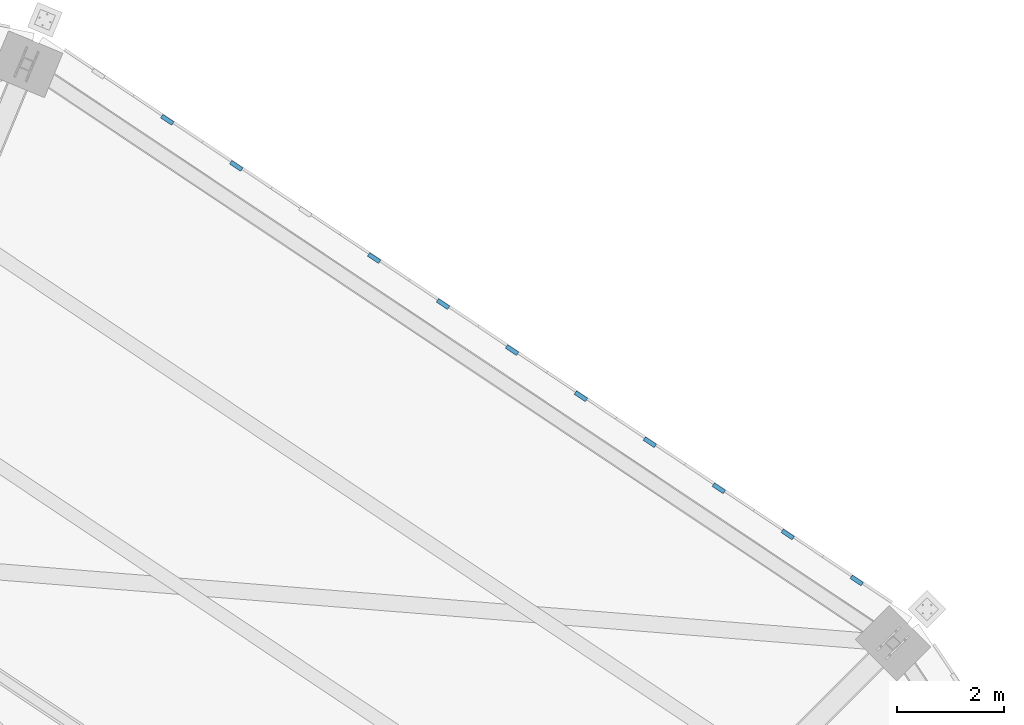
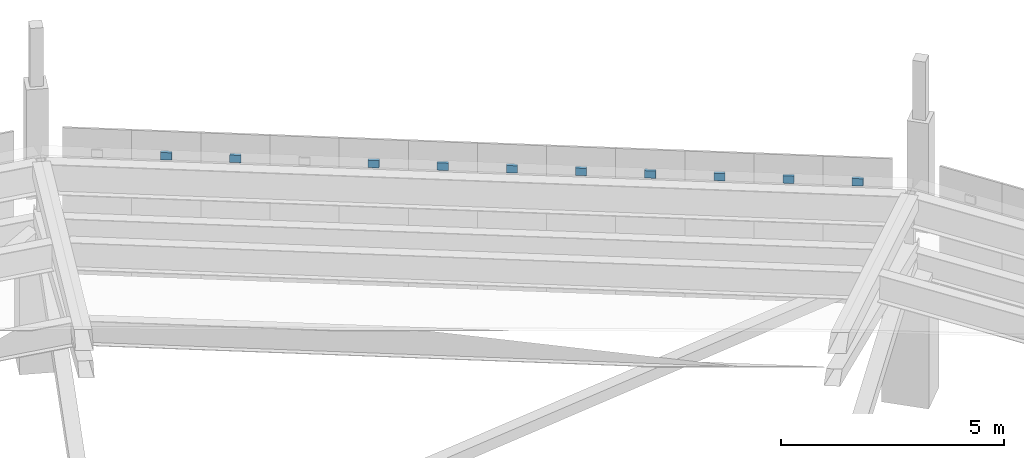
# One storey, part 269 of 278: 10 discrete accessories.
"""IFC4 building model written with IfcOpenShell, lengths in metres."""

from ifc_helpers import new_model, si_unit, direction, frame, origin, origin_2d, place, context, subcontext, project, spatial, rectangle, extrude, material, layer, layer_set, type_object, element, save


model = new_model("IFC4")

# Units and contexts
model_context = context("Model", 3, precision=1e-05, world=origin(), true_north=direction((0.0, 1.0)))
body_context = subcontext(model_context, "Body", "Model", "MODEL_VIEW")
ifc_project = project(units=[si_unit("LENGTHUNIT", "METRE"), si_unit("AREAUNIT", "SQUARE_METRE"), si_unit("VOLUMEUNIT", "CUBIC_METRE"), si_unit("PLANEANGLEUNIT", "RADIAN"), si_unit("MASSUNIT", "GRAM", prefix="KILO")], contexts=[model_context])

# Site, building, storey
site_placement = place(None, origin())
site = spatial("IfcSite", under=ifc_project, at=site_placement, CompositionType="ELEMENT")
building_placement = place(site_placement, origin())
building = spatial("IfcBuilding", under=site, at=building_placement, Name="Ogive Plaza Stadium", CompositionType="ELEMENT")
storey_placement = place(building_placement, frame((0.0, 0.0, 29.0)))
storey = spatial("IfcBuildingStorey", under=building, at=storey_placement, Name="Roof", CompositionType="ELEMENT", Elevation=29.0)

# Discrete accessories
ifc_material = material(Name="Steel ASTM A572 Grade 50", Category="steel")
ifc_layer = layer(ifc_material, 0.080078125)
ifc_layer_set = layer_set([ifc_layer], Name="Steel ASTM A572 Grade 50")
discrete_accessory_type = type_object("IfcDiscreteAccessoryType", Name="Tracery screen bracket 250x200", PredefinedType="BRACKET", material=ifc_layer_set)
for number, where, z_axis, x_axis, name in (
    (1, (55.770263671875, 97.653564453125, 5.25), (0.0, 0.0, 1.0), (0.831469612303, -0.55557023302, 0.0), "TRACERY SCREEN BRACKET B38 2"),
    (2, (57.060791015625, 96.791259765625, 5.25), (0.0, 0.0, 1.0), (0.831469612303, -0.55557023302, 0.0), "TRACERY SCREEN BRACKET B38 3"),
    (3, (59.641845703125, 95.066650390625, 5.25), (0.0, 0.0, 1.0), (0.831469612303, -0.55557023302, 0.0), "TRACERY SCREEN BRACKET B38 5"),
    (4, (60.9326171875, 94.204345703125, 5.25), (0.0, 0.0, 1.0), (0.831469612303, -0.55557023302, 0.0), "TRACERY SCREEN BRACKET B38 6"),
    (5, (62.22314453125, 93.341796875, 5.25), (0.0, 0.0, 1.0), (0.831469612303, -0.55557023302, 0.0), "TRACERY SCREEN BRACKET B38 7"),
    (6, (63.513671875, 92.4794921875, 5.25), (0.0, 0.0, 1.0), (0.831469612303, -0.55557023302, 0.0), "TRACERY SCREEN BRACKET B38 8"),
    (7, (64.80419921875, 91.6171875, 5.25), (0.0, 0.0, 1.0), (0.831469612303, -0.55557023302, 0.0), "TRACERY SCREEN BRACKET B38 9"),
    (8, (66.0947265625, 90.7548828125, 5.25), (0.0, 0.0, 1.0), (0.831469612303, -0.55557023302, 0.0), "TRACERY SCREEN BRACKET B38 10"),
    (9, (67.385498046875, 89.892578125, 5.25), (0.0, 0.0, 1.0), (0.831469612303, -0.55557023302, 0.0), "TRACERY SCREEN BRACKET B38 11"),
    (10, (68.676025390625, 89.0302734375, 5.25), (0.0, 0.0, 1.0), (0.831469612303, -0.55557023302, 0.0), "TRACERY SCREEN BRACKET B38 12"),
):
    element("IfcDiscreteAccessory", number, at=place(storey_placement, frame(where, z_axis=z_axis, x_axis=x_axis)), inside=storey, type_object=discrete_accessory_type, Name=name, PredefinedType="BRACKET", context=body_context, shape_type="SweptSolid", body=[
        extrude(rectangle(XDim=0.25, YDim=0.080078125, at=origin_2d()), origin(), (0.0, 0.0, 1.0), 0.199951171875),
    ])

save(model, "model.ifc")
